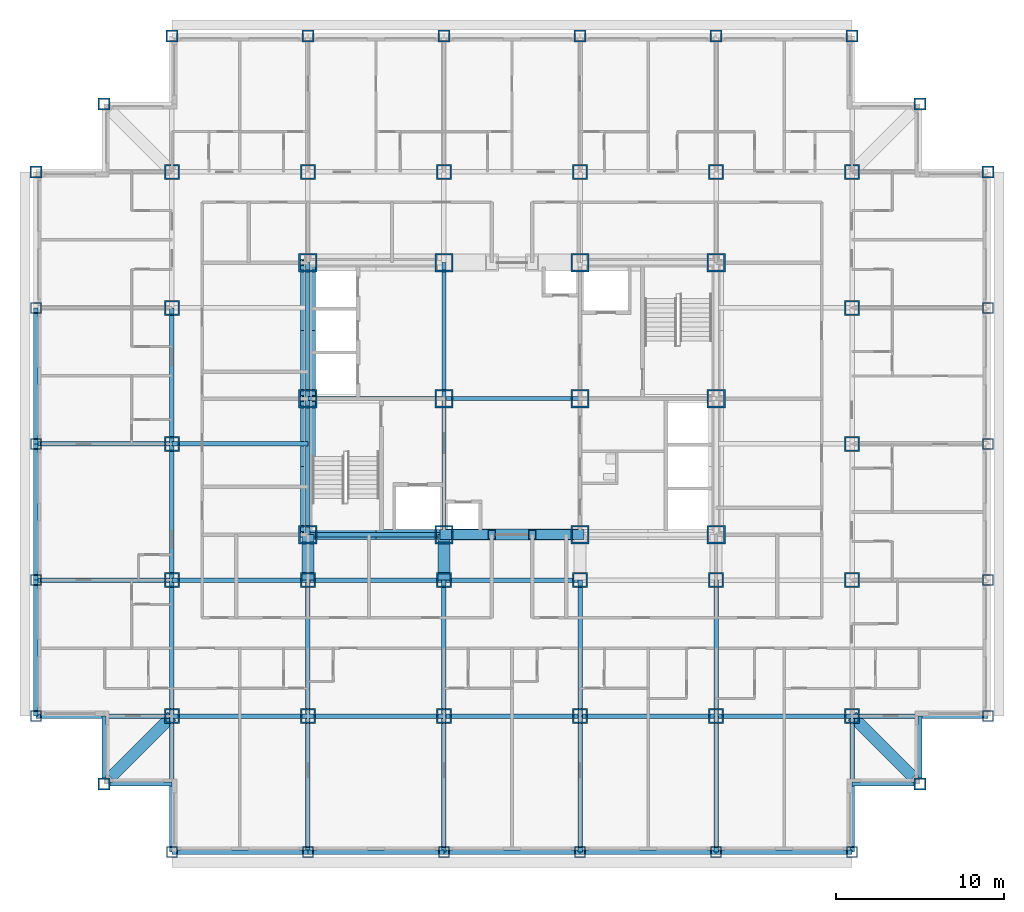
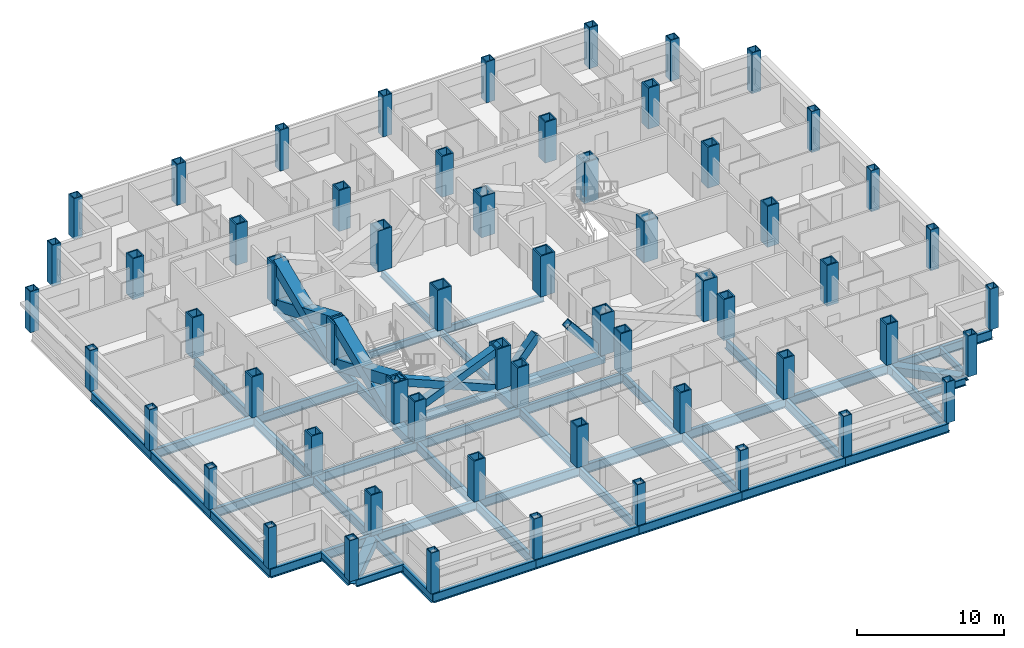
# One storey, part 1 of 14: 60 columns, 50 beams, 8 members.
"""IFC4 building model written with IfcOpenShell, lengths in metres."""

from ifc_helpers import new_model, si_unit, direction, frame, origin, origin_2d, place, context, subcontext, project, spatial, hollow_rectangle, i_section, extrude, material, material_profile, profile_set, type_object, element, save


model = new_model("IFC4")

# Units and contexts
model_context = context("Model", 3, precision=1e-05, world=origin(), true_north=direction((0.0, 1.0)))
body_context = subcontext(model_context, "Body", "Model", "MODEL_VIEW")
ifc_project = project(units=[si_unit("LENGTHUNIT", "METRE"), si_unit("AREAUNIT", "SQUARE_METRE"), si_unit("VOLUMEUNIT", "CUBIC_METRE"), si_unit("PLANEANGLEUNIT", "RADIAN"), si_unit("MASSUNIT", "GRAM", prefix="KILO")], contexts=[model_context])

# Site, building, storey
site_placement = place(None, origin())
site = spatial("IfcSite", under=ifc_project, at=site_placement, CompositionType="ELEMENT")
building_placement = place(site_placement, origin())
building = spatial("IfcBuilding", under=site, at=building_placement, Name="Kopane Lantern Tower", CompositionType="ELEMENT")
storey_placement = place(building_placement, frame((0.0, 0.0, 151.0)))
storey = spatial("IfcBuildingStorey", under=building, at=storey_placement, Name="L39", CompositionType="ELEMENT", Elevation=151.0)

# Columns
ifc_material_1 = material(Name="Steel S355JR", Category="steel")
ifc_material_profile_1 = material_profile(ifc_material_1, hollow_rectangle(XDim=1.10009765625, YDim=1.10009765625, WallThickness=0.10009765625, at=origin_2d()), Name="BOX 1100x1100x100")
ifc_profile_set_1 = profile_set([ifc_material_profile_1], Name="Steel S355JR")
column_type_1 = type_object("IfcColumnType", Name="COLUMN BOX 1100x1100x100", PredefinedType="COLUMN", material=ifc_profile_set_1)
for number, where, z_axis, x_axis, name in (
    (1, (16.199951171875, 24.300048828125, 0.0), (0.0, 0.0, 1.0), (1.0, 0.0, 0.0), "Column 4/E L39"),
    (2, (16.199951171875, 32.39990234375, 0.0), (0.0, 0.0, 1.0), (1.0, 0.0, 0.0), "Column 4/F L39"),
    (3, (16.199951171875, 40.5, 0.0), (0.0, 0.0, 1.0), (1.0, 0.0, 0.0), "Column 4/G L39"),
    (4, (24.300048828125, 24.300048828125, 0.0), (0.0, 0.0, 1.0), (1.0, 0.0, 0.0), "Column 5/E L39"),
    (5, (24.300048828125, 32.39990234375, 0.0), (0.0, 0.0, 1.0), (1.0, 0.0, 0.0), "Column 5/F L39"),
    (6, (24.300048828125, 40.5, 0.0), (0.0, 0.0, 1.0), (1.0, 0.0, 0.0), "Column 5/G L39"),
    (7, (32.39990234375, 24.300048828125, 0.0), (0.0, 0.0, 1.0), (1.0, 0.0, 0.0), "Column 6/E L39"),
    (8, (32.39990234375, 32.39990234375, 0.0), (0.0, 0.0, 1.0), (1.0, 0.0, 0.0), "Column 6/F L39"),
    (9, (32.39990234375, 40.5, 0.0), (0.0, 0.0, 1.0), (1.0, 0.0, 0.0), "Column 6/G L39"),
    (10, (40.5, 24.300048828125, 0.0), (0.0, 0.0, 1.0), (1.0, 0.0, 0.0), "Column 7/E L39"),
    (11, (40.5, 32.39990234375, 0.0), (0.0, 0.0, 1.0), (1.0, 0.0, 0.0), "Column 7/F L39"),
    (12, (40.5, 40.5, 0.0), (0.0, 0.0, 1.0), (1.0, 0.0, 0.0), "Column 7/G L39"),
):
    element("IfcColumn", number, at=place(storey_placement, frame(where, z_axis=z_axis, x_axis=x_axis)), inside=storey, type_object=column_type_1, Name=name, PredefinedType="COLUMN", context=body_context, shape_type="SweptSolid", body=[
        extrude(hollow_rectangle(XDim=1.10009765625, YDim=1.10009765625, WallThickness=0.10009765625, at=origin_2d()), origin(), (0.0, 0.0, 1.0), 3.39990234375),
    ])
ifc_material_2 = material(Name="Steel S355JR", Category="steel")
ifc_material_profile_2 = material_profile(ifc_material_2, hollow_rectangle(XDim=0.64990234375, YDim=0.64990234375, WallThickness=0.054931640625, at=origin_2d()), Name="BOX 650x650x55")
ifc_profile_set_2 = profile_set([ifc_material_profile_2], Name="Steel S355JR")
column_type_2 = type_object("IfcColumnType", Name="COLUMN BOX 650x650x55", PredefinedType="COLUMN", material=ifc_profile_set_2)
for number, where, z_axis, x_axis, name in (
    (13, (0.0, 13.5, 0.0), (0.0, 0.0, 1.0), (1.0, 0.0, 0.0), "Column 2/P2 L39"),
    (14, (0.0, 21.60009765625, 0.0), (0.0, 0.0, 1.0), (1.0, 0.0, 0.0), "Column 2/P3 L39"),
    (15, (0.0, 29.699951171875, 0.0), (0.0, 0.0, 1.0), (1.0, 0.0, 0.0), "Column 2/P4 L39"),
    (16, (0.0, 37.800048828125, 0.0), (0.0, 0.0, 1.0), (1.0, 0.0, 0.0), "Column 2/P5 L39"),
    (17, (8.10009765625, 5.39990234375, 0.0), (0.0, 0.0, 1.0), (1.0, 0.0, 0.0), "Column 3/P1 L39"),
    (18, (16.199951171875, 5.39990234375, 0.0), (0.0, 0.0, 1.0), (1.0, 0.0, 0.0), "Column 4/P1 L39"),
    (19, (24.300048828125, 5.39990234375, 0.0), (0.0, 0.0, 1.0), (1.0, 0.0, 0.0), "Column 5/P1 L39"),
    (20, (32.39990234375, 5.39990234375, 0.0), (0.0, 0.0, 1.0), (1.0, 0.0, 0.0), "Column 6/P1 L39"),
    (21, (40.5, 5.39990234375, 0.0), (0.0, 0.0, 1.0), (1.0, 0.0, 0.0), "Column 7/P1 L39"),
    (22, (48.60009765625, 5.39990234375, 0.0), (0.0, 0.0, 1.0), (1.0, 0.0, 0.0), "Column 8/P1 L39"),
    (23, (56.699951171875, 13.5, 0.0), (0.0, 0.0, 1.0), (1.0, 0.0, 0.0), "Column 9/P2 L39"),
    (24, (56.699951171875, 21.60009765625, 0.0), (0.0, 0.0, 1.0), (1.0, 0.0, 0.0), "Column 9/P3 L39"),
    (25, (56.699951171875, 29.699951171875, 0.0), (0.0, 0.0, 1.0), (1.0, 0.0, 0.0), "Column 9/P4 L39"),
    (26, (56.699951171875, 37.800048828125, 0.0), (0.0, 0.0, 1.0), (1.0, 0.0, 0.0), "Column 9/P5 L39"),
):
    element("IfcColumn", number, at=place(storey_placement, frame(where, z_axis=z_axis, x_axis=x_axis)), inside=storey, type_object=column_type_2, Name=name, PredefinedType="COLUMN", context=body_context, shape_type="SweptSolid", body=[
        extrude(hollow_rectangle(XDim=0.64990234375, YDim=0.64990234375, WallThickness=0.054931640625, at=origin_2d()), origin(), (0.0, 0.0, 1.0), 3.39990234375),
    ])
ifc_material_3 = material(Name="Steel S355JR", Category="steel")
ifc_material_profile_3 = material_profile(ifc_material_3, hollow_rectangle(XDim=0.699951171875, YDim=0.699951171875, WallThickness=0.070068359375, at=origin_2d()), Name="BOX 700x700x70")
ifc_profile_set_3 = profile_set([ifc_material_profile_3], Name="Steel S355JR")
column_type_3 = type_object("IfcColumnType", Name="COLUMN BOX 700x700x70", PredefinedType="COLUMN", material=ifc_profile_set_3)
for number, where, z_axis, x_axis, name in (
    (27, (0.0, 45.89990234375, 0.0), (0.0, 0.0, 1.0), (1.0, 0.0, 0.0), "Column 2/P6 L39"),
    (28, (4.050048828125, 9.449951171875, 0.0), (0.0, 0.0, 1.0), (1.0, 0.0, 0.0), "Column 4.05/9.45 L39"),
    (29, (4.050048828125, 49.949951171875, 0.0), (0.0, 0.0, 1.0), (1.0, 0.0, 0.0), "Column 4.05/49.95 L39"),
    (30, (8.10009765625, 54.0, 0.0), (0.0, 0.0, 1.0), (1.0, 0.0, 0.0), "Column 3/P7 L39"),
    (31, (16.199951171875, 54.0, 0.0), (0.0, 0.0, 1.0), (1.0, 0.0, 0.0), "Column 4/P7 L39"),
    (32, (24.300048828125, 54.0, 0.0), (0.0, 0.0, 1.0), (1.0, 0.0, 0.0), "Column 5/P7 L39"),
    (33, (32.39990234375, 54.0, 0.0), (0.0, 0.0, 1.0), (1.0, 0.0, 0.0), "Column 6/P7 L39"),
    (34, (40.5, 54.0, 0.0), (0.0, 0.0, 1.0), (1.0, 0.0, 0.0), "Column 7/P7 L39"),
    (35, (48.60009765625, 54.0, 0.0), (0.0, 0.0, 1.0), (1.0, 0.0, 0.0), "Column 8/P7 L39"),
    (36, (52.64990234375, 9.449951171875, 0.0), (0.0, 0.0, 1.0), (1.0, 0.0, 0.0), "Column 52.65/9.45 L39"),
    (37, (52.64990234375, 49.949951171875, 0.0), (0.0, 0.0, 1.0), (1.0, 0.0, 0.0), "Column 52.65/49.95 L39"),
    (38, (56.699951171875, 45.89990234375, 0.0), (0.0, 0.0, 1.0), (1.0, 0.0, 0.0), "Column 9/P6 L39"),
):
    element("IfcColumn", number, at=place(storey_placement, frame(where, z_axis=z_axis, x_axis=x_axis)), inside=storey, type_object=column_type_3, Name=name, PredefinedType="COLUMN", context=body_context, shape_type="SweptSolid", body=[
        extrude(hollow_rectangle(XDim=0.699951171875, YDim=0.699951171875, WallThickness=0.070068359375, at=origin_2d()), origin(), (0.0, 0.0, 1.0), 3.39990234375),
    ])
ifc_material_4 = material(Name="Steel S355JR", Category="steel")
ifc_material_profile_4 = material_profile(ifc_material_4, hollow_rectangle(XDim=0.89990234375, YDim=0.89990234375, WallThickness=0.10009765625, at=origin_2d()), Name="BOX 900x900x100")
ifc_profile_set_4 = profile_set([ifc_material_profile_4], Name="Steel S355JR")
column_type_4 = type_object("IfcColumnType", Name="COLUMN BOX 900x900x100", PredefinedType="COLUMN", material=ifc_profile_set_4)
for number, where, z_axis, x_axis, name in (
    (39, (8.10009765625, 13.5, 0.0), (0.0, 0.0, 1.0), (1.0, 0.0, 0.0), "Column 3/P2 L39"),
    (40, (8.10009765625, 21.60009765625, 0.0), (0.0, 0.0, 1.0), (1.0, 0.0, 0.0), "Column 3/P3 L39"),
    (41, (8.10009765625, 29.699951171875, 0.0), (0.0, 0.0, 1.0), (1.0, 0.0, 0.0), "Column 3/P4 L39"),
    (42, (8.10009765625, 37.800048828125, 0.0), (0.0, 0.0, 1.0), (1.0, 0.0, 0.0), "Column 3/P5 L39"),
    (43, (8.10009765625, 45.89990234375, 0.0), (0.0, 0.0, 1.0), (1.0, 0.0, 0.0), "Column 3/P6 L39"),
    (44, (16.199951171875, 13.5, 0.0), (0.0, 0.0, 1.0), (1.0, 0.0, 0.0), "Column 4/P2 L39"),
    (45, (16.199951171875, 21.60009765625, 0.0), (0.0, 0.0, 1.0), (1.0, 0.0, 0.0), "Column 4/P3 L39"),
    (46, (16.199951171875, 45.89990234375, 0.0), (0.0, 0.0, 1.0), (1.0, 0.0, 0.0), "Column 4/P6 L39"),
    (47, (24.300048828125, 13.5, 0.0), (0.0, 0.0, 1.0), (1.0, 0.0, 0.0), "Column 5/P2 L39"),
    (48, (24.300048828125, 21.60009765625, 0.0), (0.0, 0.0, 1.0), (1.0, 0.0, 0.0), "Column 5/P3 L39"),
    (49, (24.300048828125, 45.89990234375, 0.0), (0.0, 0.0, 1.0), (1.0, 0.0, 0.0), "Column 5/P6 L39"),
    (50, (32.39990234375, 13.5, 0.0), (0.0, 0.0, 1.0), (1.0, 0.0, 0.0), "Column 6/P2 L39"),
    (51, (32.39990234375, 21.60009765625, 0.0), (0.0, 0.0, 1.0), (1.0, 0.0, 0.0), "Column 6/P3 L39"),
    (52, (32.39990234375, 45.89990234375, 0.0), (0.0, 0.0, 1.0), (1.0, 0.0, 0.0), "Column 6/P6 L39"),
    (53, (40.5, 13.5, 0.0), (0.0, 0.0, 1.0), (1.0, 0.0, 0.0), "Column 7/P2 L39"),
    (54, (40.5, 21.60009765625, 0.0), (0.0, 0.0, 1.0), (1.0, 0.0, 0.0), "Column 7/P3 L39"),
    (55, (40.5, 45.89990234375, 0.0), (0.0, 0.0, 1.0), (1.0, 0.0, 0.0), "Column 7/P6 L39"),
    (56, (48.60009765625, 13.5, 0.0), (0.0, 0.0, 1.0), (1.0, 0.0, 0.0), "Column 8/P2 L39"),
    (57, (48.60009765625, 21.60009765625, 0.0), (0.0, 0.0, 1.0), (1.0, 0.0, 0.0), "Column 8/P3 L39"),
    (58, (48.60009765625, 29.699951171875, 0.0), (0.0, 0.0, 1.0), (1.0, 0.0, 0.0), "Column 8/P4 L39"),
    (59, (48.60009765625, 37.800048828125, 0.0), (0.0, 0.0, 1.0), (1.0, 0.0, 0.0), "Column 8/P5 L39"),
    (60, (48.60009765625, 45.89990234375, 0.0), (0.0, 0.0, 1.0), (1.0, 0.0, 0.0), "Column 8/P6 L39"),
):
    element("IfcColumn", number, at=place(storey_placement, frame(where, z_axis=z_axis, x_axis=x_axis)), inside=storey, type_object=column_type_4, Name=name, PredefinedType="COLUMN", context=body_context, shape_type="SweptSolid", body=[
        extrude(hollow_rectangle(XDim=0.89990234375, YDim=0.89990234375, WallThickness=0.10009765625, at=origin_2d()), origin(), (0.0, 0.0, 1.0), 3.39990234375),
    ])

# Members
ifc_material_5 = material(Name="Steel S355JR", Category="steel")
ifc_material_profile_5 = material_profile(ifc_material_5, hollow_rectangle(XDim=0.60009765625, YDim=0.60009765625, WallThickness=0.050048828125, at=origin_2d()), Name="BOX 600x600x50")
ifc_profile_set_5 = profile_set([ifc_material_profile_5], Name="Steel S355JR")
member_type_1 = type_object("IfcMemberType", Name="BRACE BOX 600x600x50", PredefinedType="BRACE", material=ifc_profile_set_5)
for number, where, z_axis, x_axis, name in (
    (61, (16.199951171875, 24.300048828125, -0.2099609375), (0.922069000757, 0.0, 0.387025526088), (0.0, 1.0, 0.0), "Core brace L39"),
    (62, (24.300048828125, 24.300048828125, -0.2099609375), (-0.922069000757, 0.0, 0.387025526088), (0.0, -1.0, 0.0), "Core brace L39"),
):
    element("IfcMember", number, at=place(storey_placement, frame(where, z_axis=z_axis, x_axis=x_axis)), inside=storey, type_object=member_type_1, Name=name, PredefinedType="BRACE", context=body_context, shape_type="SweptSolid", body=[
        extrude(hollow_rectangle(XDim=0.60009765625, YDim=0.60009765625, WallThickness=0.050048828125, at=origin_2d()), origin(), (0.0, 0.0, 1.0), 8.78466796875),
    ])
for number, where, z_axis, x_axis, name in (
    (63, (24.300048828125, 24.300048828125, -0.2099609375), (0.642390257445, 0.0, 0.7663776857), (0.0, 1.0, 0.0), "Core brace L39"),
    (64, (32.39990234375, 24.300048828125, -0.2099609375), (-0.642390257445, 0.0, 0.7663776857), (0.0, -1.0, 0.0), "Core brace L39"),
):
    element("IfcMember", number, at=place(storey_placement, frame(where, z_axis=z_axis, x_axis=x_axis)), inside=storey, type_object=member_type_1, Name=name, PredefinedType="BRACE", context=body_context, shape_type="SweptSolid", body=[
        extrude(hollow_rectangle(XDim=0.60009765625, YDim=0.60009765625, WallThickness=0.050048828125, at=origin_2d()), origin(), (0.0, 0.0, 1.0), 4.436279296875),
    ])
ifc_material_6 = material(Name="Steel S355JR", Category="steel")
ifc_material_profile_6 = material_profile(ifc_material_6, hollow_rectangle(XDim=0.89990234375, YDim=0.89990234375, WallThickness=0.090087890625, at=origin_2d()), Name="BOX 900x900x90")
ifc_profile_set_6 = profile_set([ifc_material_profile_6], Name="Steel S355JR")
member_type_2 = type_object("IfcMemberType", Name="BRACE BOX 900x900x90", PredefinedType="BRACE", material=ifc_profile_set_6)
for number, where, z_axis, x_axis, name in (
    (65, (16.199951171875, 24.300048828125, -0.2099609375), (0.0, 0.922064837731, 0.38703544414), (-1.0, 0.0, 0.0), "Core brace L39"),
    (66, (16.199951171875, 32.39990234375, -0.2099609375), (0.0, -0.922064837731, 0.38703544414), (1.0, 0.0, 0.0), "Core brace L39"),
):
    element("IfcMember", number, at=place(storey_placement, frame(where, z_axis=z_axis, x_axis=x_axis)), inside=storey, type_object=member_type_2, Name=name, PredefinedType="BRACE", context=body_context, shape_type="SweptSolid", body=[
        extrude(hollow_rectangle(XDim=0.89990234375, YDim=0.89990234375, WallThickness=0.090087890625, at=origin_2d()), origin(), (0.0, 0.0, 1.0), 8.784423828125),
    ])
for number, where, z_axis, x_axis, name in (
    (67, (16.199951171875, 32.39990234375, -0.2099609375), (0.0, 0.922069000757, 0.387025526088), (-1.0, 0.0, 0.0), "Core brace L39"),
    (68, (16.199951171875, 40.5, -0.2099609375), (0.0, -0.922069000757, 0.387025526088), (1.0, 0.0, 0.0), "Core brace L39"),
):
    element("IfcMember", number, at=place(storey_placement, frame(where, z_axis=z_axis, x_axis=x_axis)), inside=storey, type_object=member_type_2, Name=name, PredefinedType="BRACE", context=body_context, shape_type="SweptSolid", body=[
        extrude(hollow_rectangle(XDim=0.89990234375, YDim=0.89990234375, WallThickness=0.090087890625, at=origin_2d()), origin(), (0.0, 0.0, 1.0), 8.78466796875),
    ])

# Beams
ifc_material_7 = material(Name="Steel S355JR", Category="steel")
ifc_material_profile_7 = material_profile(ifc_material_7, i_section(OverallWidth=0.22900390625, OverallDepth=0.6123046875, WebThickness=0.011962890625, FlangeThickness=0.01953125, FilletRadius=0.0126953125, at=origin_2d()), Name="UB 610x229x125")
ifc_profile_set_7 = profile_set([ifc_material_profile_7], Name="Steel S355JR")
beam_type_1 = type_object("IfcBeamType", Name="CORE BEAM UB 610x229x125", PredefinedType="BEAM", material=ifc_profile_set_7)
beam_1_placement = place(storey_placement, frame((16.199951171875, 32.39990234375, -0.51611328125), z_axis=(1.0, 0.0, 0.0), x_axis=(0.0, 1.0, 0.0)))
element("IfcBeam", 69, at=beam_1_placement, inside=storey, type_object=beam_type_1, Name="Core Beam L39", PredefinedType="BEAM", context=body_context, shape_type="SweptSolid", body=[
    extrude(i_section(OverallWidth=0.22900390625, OverallDepth=0.6123046875, WebThickness=0.011962890625, FlangeThickness=0.01953125, FilletRadius=0.0126953125, at=origin_2d()), origin(), (0.0, 0.0, 1.0), 8.10009765625),
])
beam_2_placement = place(storey_placement, frame((24.300048828125, 24.300048828125, -0.51611328125), z_axis=(0.0, 1.0, 0.0), x_axis=(-1.0, 0.0, 0.0)))
element("IfcBeam", 70, at=beam_2_placement, inside=storey, type_object=beam_type_1, Name="Core Beam L39", PredefinedType="BEAM", context=body_context, shape_type="SweptSolid", body=[
    extrude(i_section(OverallWidth=0.22900390625, OverallDepth=0.6123046875, WebThickness=0.011962890625, FlangeThickness=0.01953125, FilletRadius=0.0126953125, at=origin_2d()), origin(), (0.0, 0.0, 1.0), 8.099853515625),
])
beam_3_placement = place(storey_placement, frame((24.300048828125, 32.39990234375, -0.51611328125), z_axis=(0.0, 1.0, 0.0), x_axis=(-1.0, 0.0, 0.0)))
element("IfcBeam", 71, at=beam_3_placement, inside=storey, type_object=beam_type_1, Name="Core Beam L39", PredefinedType="BEAM", context=body_context, shape_type="SweptSolid", body=[
    extrude(i_section(OverallWidth=0.22900390625, OverallDepth=0.6123046875, WebThickness=0.011962890625, FlangeThickness=0.01953125, FilletRadius=0.0126953125, at=origin_2d()), origin(), (0.0, 0.0, 1.0), 8.10009765625),
])
beam_4_placement = place(storey_placement, frame((24.300048828125, 32.39990234375, -0.51611328125), z_axis=(1.0, 0.0, 0.0), x_axis=(0.0, 1.0, 0.0)))
element("IfcBeam", 72, at=beam_4_placement, inside=storey, type_object=beam_type_1, Name="Core Beam L39", PredefinedType="BEAM", context=body_context, shape_type="SweptSolid", body=[
    extrude(i_section(OverallWidth=0.22900390625, OverallDepth=0.6123046875, WebThickness=0.011962890625, FlangeThickness=0.01953125, FilletRadius=0.0126953125, at=origin_2d()), origin(), (0.0, 0.0, 1.0), 8.099853515625),
])
ifc_material_8 = material(Name="Steel S355JR", Category="steel")
ifc_material_profile_8 = material_profile(ifc_material_8, hollow_rectangle(XDim=0.699951171875, YDim=0.699951171875, WallThickness=0.06005859375, at=origin_2d()), Name="BOX 700x700x60")
ifc_profile_set_8 = profile_set([ifc_material_profile_8], Name="Steel S355JR")
beam_type_2 = type_object("IfcBeamType", Name="CORNER TIE BEAM BOX 700x700x60", PredefinedType="BEAM", material=ifc_profile_set_8)
beam_5_placement = place(storey_placement, frame((4.447509765625, 9.847412109375, -0.56005859375), z_axis=(0.707106781187, 0.707106781187, 0.0), x_axis=(-0.707106781187, 0.707106781187, 0.0)))
element("IfcBeam", 73, at=beam_5_placement, inside=storey, type_object=beam_type_2, Name="Corner Tie Beam L39", PredefinedType="BEAM", context=body_context, shape_type="SweptSolid", body=[
    extrude(hollow_rectangle(XDim=0.699951171875, YDim=0.699951171875, WallThickness=0.06005859375, at=origin_2d()), origin(), (0.0, 0.0, 1.0), 5.16552734375),
])
beam_6_placement = place(storey_placement, frame((52.25244140625, 9.847412109375, -0.56005859375), z_axis=(-0.707083148333, 0.70713041325, 0.0), x_axis=(-0.70713041325, -0.707083148333, 0.0)))
element("IfcBeam", 74, at=beam_6_placement, inside=storey, type_object=beam_type_2, Name="Corner Tie Beam L39", PredefinedType="BEAM", context=body_context, shape_type="SweptSolid", body=[
    extrude(hollow_rectangle(XDim=0.699951171875, YDim=0.699951171875, WallThickness=0.06005859375, at=origin_2d()), origin(), (0.0, 0.0, 1.0), 5.165283203125),
])
ifc_material_9 = material(Name="Steel S355JR", Category="steel")
ifc_material_profile_9 = material_profile(ifc_material_9, i_section(OverallWidth=0.22900390625, OverallDepth=0.6123046875, WebThickness=0.011962890625, FlangeThickness=0.01953125, FilletRadius=0.0126953125, at=origin_2d()), Name="UB 610x229x125")
ifc_profile_set_9 = profile_set([ifc_material_profile_9], Name="Steel S355JR")
beam_type_3 = type_object("IfcBeamType", Name="EDGE BEAM UB 610x229x125", PredefinedType="BEAM", material=ifc_profile_set_9)
beam_7_placement = place(storey_placement, frame((4.050048828125, 9.800048828125, -0.51611328125), z_axis=(0.0, 1.0, 0.0), x_axis=(-1.0, 0.0, 0.0)))
element("IfcBeam", 75, at=beam_7_placement, inside=storey, type_object=beam_type_3, Name="Edge Beam L39", PredefinedType="BEAM", context=body_context, shape_type="SweptSolid", body=[
    extrude(i_section(OverallWidth=0.22900390625, OverallDepth=0.6123046875, WebThickness=0.011962890625, FlangeThickness=0.01953125, FilletRadius=0.0126953125, at=origin_2d()), origin(), (0.0, 0.0, 1.0), 3.699951171875),
])
beam_8_placement = place(storey_placement, frame((4.39990234375, 9.449951171875, -0.51611328125), z_axis=(1.0, 0.0, 0.0), x_axis=(0.0, 1.0, 0.0)))
element("IfcBeam", 76, at=beam_8_placement, inside=storey, type_object=beam_type_3, Name="Edge Beam L39", PredefinedType="BEAM", context=body_context, shape_type="SweptSolid", body=[
    extrude(i_section(OverallWidth=0.22900390625, OverallDepth=0.6123046875, WebThickness=0.011962890625, FlangeThickness=0.01953125, FilletRadius=0.0126953125, at=origin_2d()), origin(), (0.0, 0.0, 1.0), 3.7001953125),
])
for number, where, z_axis, x_axis, name in (
    (77, (52.300048828125, 9.449951171875, -0.51611328125), (-1.0, 0.0, 0.0), (0.0, -1.0, 0.0), "Edge Beam L39"),
    (78, (52.64990234375, 9.800048828125, -0.51611328125), (0.0, 1.0, 0.0), (-1.0, 0.0, 0.0), "Edge Beam L39"),
):
    element("IfcBeam", number, at=place(storey_placement, frame(where, z_axis=z_axis, x_axis=x_axis)), inside=storey, type_object=beam_type_3, Name=name, PredefinedType="BEAM", context=body_context, shape_type="SweptSolid", body=[
        extrude(i_section(OverallWidth=0.22900390625, OverallDepth=0.6123046875, WebThickness=0.011962890625, FlangeThickness=0.01953125, FilletRadius=0.0126953125, at=origin_2d()), origin(), (0.0, 0.0, 1.0), 3.699951171875),
    ])
ifc_material_10 = material(Name="Steel S355JR", Category="steel")
ifc_material_profile_10 = material_profile(ifc_material_10, hollow_rectangle(XDim=0.699951171875, YDim=0.699951171875, WallThickness=0.06005859375, at=origin_2d()), Name="BOX 700x700x60")
ifc_profile_set_10 = profile_set([ifc_material_profile_10], Name="Steel S355JR")
beam_type_4 = type_object("IfcBeamType", Name="GIRDER BOX 700x700x60", PredefinedType="BEAM", material=ifc_profile_set_10)
for number, where, z_axis, x_axis, name in (
    (79, (16.199951171875, 21.60009765625, -0.56005859375), (0.0, 1.0, 0.0), (-1.0, 0.0, 0.0), "Girder L39"),
    (80, (24.300048828125, 21.60009765625, -0.56005859375), (0.0, 1.0, 0.0), (-1.0, 0.0, 0.0), "Girder L39"),
):
    element("IfcBeam", number, at=place(storey_placement, frame(where, z_axis=z_axis, x_axis=x_axis)), inside=storey, type_object=beam_type_4, Name=name, PredefinedType="BEAM", context=body_context, shape_type="SweptSolid", body=[
        extrude(hollow_rectangle(XDim=0.699951171875, YDim=0.699951171875, WallThickness=0.06005859375, at=origin_2d()), origin(), (0.0, 0.0, 1.0), 2.699951171875),
    ])
ifc_material_11 = material(Name="Steel S355JR", Category="steel")
ifc_material_profile_11 = material_profile(ifc_material_11, i_section(OverallWidth=0.26806640625, OverallDepth=0.769775390625, WebThickness=0.015625, FlangeThickness=0.025390625, FilletRadius=0.0166015625, at=origin_2d()), Name="UB 762x267x197")
ifc_profile_set_11 = profile_set([ifc_material_profile_11], Name="Steel S355JR")
beam_type_5 = type_object("IfcBeamType", Name="GIRDER UB 762x267x197", PredefinedType="BEAM", material=ifc_profile_set_11)
for number, where, z_axis, x_axis, name in (
    (81, (0.0, 13.5, -0.594970703125), (0.0, 1.0, 0.0), (-1.0, 0.0, 0.0), "Girder L39"),
    (82, (0.0, 13.5, -0.594970703125), (1.0, 0.0, 0.0), (0.0, 1.0, 0.0), "Girder L39"),
):
    element("IfcBeam", number, at=place(storey_placement, frame(where, z_axis=z_axis, x_axis=x_axis)), inside=storey, type_object=beam_type_5, Name=name, PredefinedType="BEAM", context=body_context, shape_type="SweptSolid", body=[
        extrude(i_section(OverallWidth=0.26806640625, OverallDepth=0.769775390625, WebThickness=0.015625, FlangeThickness=0.025390625, FilletRadius=0.0166015625, at=origin_2d()), origin(), (0.0, 0.0, 1.0), 8.10009765625),
    ])
beam_9_placement = place(storey_placement, frame((0.0, 21.60009765625, -0.594970703125), z_axis=(0.0, 1.0, 0.0), x_axis=(-1.0, 0.0, 0.0)))
element("IfcBeam", 83, at=beam_9_placement, inside=storey, type_object=beam_type_5, Name="Girder L39", PredefinedType="BEAM", context=body_context, shape_type="SweptSolid", body=[
    extrude(i_section(OverallWidth=0.26806640625, OverallDepth=0.769775390625, WebThickness=0.015625, FlangeThickness=0.025390625, FilletRadius=0.0166015625, at=origin_2d()), origin(), (0.0, 0.0, 1.0), 8.099853515625),
])
for number, where, z_axis, x_axis, name in (
    (84, (0.0, 21.60009765625, -0.594970703125), (1.0, 0.0, 0.0), (0.0, 1.0, 0.0), "Girder L39"),
    (85, (0.0, 29.699951171875, -0.594970703125), (0.0, 1.0, 0.0), (-1.0, 0.0, 0.0), "Girder L39"),
    (86, (0.0, 29.699951171875, -0.594970703125), (1.0, 0.0, 0.0), (0.0, 1.0, 0.0), "Girder L39"),
    (87, (8.10009765625, 5.39990234375, -0.594970703125), (0.0, 1.0, 0.0), (-1.0, 0.0, 0.0), "Girder L39"),
):
    element("IfcBeam", number, at=place(storey_placement, frame(where, z_axis=z_axis, x_axis=x_axis)), inside=storey, type_object=beam_type_5, Name=name, PredefinedType="BEAM", context=body_context, shape_type="SweptSolid", body=[
        extrude(i_section(OverallWidth=0.26806640625, OverallDepth=0.769775390625, WebThickness=0.015625, FlangeThickness=0.025390625, FilletRadius=0.0166015625, at=origin_2d()), origin(), (0.0, 0.0, 1.0), 8.10009765625),
    ])
beam_10_placement = place(storey_placement, frame((8.10009765625, 5.39990234375, -0.594970703125), z_axis=(1.0, 0.0, 0.0), x_axis=(0.0, 1.0, 0.0)))
element("IfcBeam", 88, at=beam_10_placement, inside=storey, type_object=beam_type_5, Name="Girder L39", PredefinedType="BEAM", context=body_context, shape_type="SweptSolid", body=[
    extrude(i_section(OverallWidth=0.26806640625, OverallDepth=0.769775390625, WebThickness=0.015625, FlangeThickness=0.025390625, FilletRadius=0.0166015625, at=origin_2d()), origin(), (0.0, 0.0, 1.0), 8.099853515625),
])
beam_11_placement = place(storey_placement, frame((8.10009765625, 13.5, -0.594970703125), z_axis=(0.0, 1.0, 0.0), x_axis=(-1.0, 0.0, 0.0)))
element("IfcBeam", 89, at=beam_11_placement, inside=storey, type_object=beam_type_5, Name="Girder L39", PredefinedType="BEAM", context=body_context, shape_type="SweptSolid", body=[
    extrude(i_section(OverallWidth=0.26806640625, OverallDepth=0.769775390625, WebThickness=0.015625, FlangeThickness=0.025390625, FilletRadius=0.0166015625, at=origin_2d()), origin(), (0.0, 0.0, 1.0), 8.10009765625),
])
for number, where, z_axis, x_axis, name in (
    (90, (8.10009765625, 13.5, -0.594970703125), (1.0, 0.0, 0.0), (0.0, 1.0, 0.0), "Girder L39"),
    (91, (8.10009765625, 21.60009765625, -0.594970703125), (0.0, 1.0, 0.0), (-1.0, 0.0, 0.0), "Girder L39"),
    (92, (8.10009765625, 21.60009765625, -0.594970703125), (1.0, 0.0, 0.0), (0.0, 1.0, 0.0), "Girder L39"),
):
    element("IfcBeam", number, at=place(storey_placement, frame(where, z_axis=z_axis, x_axis=x_axis)), inside=storey, type_object=beam_type_5, Name=name, PredefinedType="BEAM", context=body_context, shape_type="SweptSolid", body=[
        extrude(i_section(OverallWidth=0.26806640625, OverallDepth=0.769775390625, WebThickness=0.015625, FlangeThickness=0.025390625, FilletRadius=0.0166015625, at=origin_2d()), origin(), (0.0, 0.0, 1.0), 8.099853515625),
    ])
beam_12_placement = place(storey_placement, frame((8.10009765625, 29.699951171875, -0.594970703125), z_axis=(0.0, 1.0, 0.0), x_axis=(-1.0, 0.0, 0.0)))
element("IfcBeam", 93, at=beam_12_placement, inside=storey, type_object=beam_type_5, Name="Girder L39", PredefinedType="BEAM", context=body_context, shape_type="SweptSolid", body=[
    extrude(i_section(OverallWidth=0.26806640625, OverallDepth=0.769775390625, WebThickness=0.015625, FlangeThickness=0.025390625, FilletRadius=0.0166015625, at=origin_2d()), origin(), (0.0, 0.0, 1.0), 8.10009765625),
])
beam_13_placement = place(storey_placement, frame((8.10009765625, 29.699951171875, -0.594970703125), z_axis=(1.0, 0.0, 0.0), x_axis=(0.0, 1.0, 0.0)))
element("IfcBeam", 94, at=beam_13_placement, inside=storey, type_object=beam_type_5, Name="Girder L39", PredefinedType="BEAM", context=body_context, shape_type="SweptSolid", body=[
    extrude(i_section(OverallWidth=0.26806640625, OverallDepth=0.769775390625, WebThickness=0.015625, FlangeThickness=0.025390625, FilletRadius=0.0166015625, at=origin_2d()), origin(), (0.0, 0.0, 1.0), 8.099853515625),
])
for number, where, z_axis, x_axis, name in (
    (95, (16.199951171875, 5.39990234375, -0.594970703125), (0.0, 1.0, 0.0), (-1.0, 0.0, 0.0), "Girder L39"),
    (96, (16.199951171875, 5.39990234375, -0.594970703125), (1.0, 0.0, 0.0), (0.0, 1.0, 0.0), "Girder L39"),
    (97, (16.199951171875, 13.5, -0.594970703125), (0.0, 1.0, 0.0), (-1.0, 0.0, 0.0), "Girder L39"),
    (98, (16.199951171875, 13.5, -0.594970703125), (1.0, 0.0, 0.0), (0.0, 1.0, 0.0), "Girder L39"),
    (99, (16.199951171875, 21.60009765625, -0.594970703125), (1.0, 0.0, 0.0), (0.0, 1.0, 0.0), "Girder L39"),
):
    element("IfcBeam", number, at=place(storey_placement, frame(where, z_axis=z_axis, x_axis=x_axis)), inside=storey, type_object=beam_type_5, Name=name, PredefinedType="BEAM", context=body_context, shape_type="SweptSolid", body=[
        extrude(i_section(OverallWidth=0.26806640625, OverallDepth=0.769775390625, WebThickness=0.015625, FlangeThickness=0.025390625, FilletRadius=0.0166015625, at=origin_2d()), origin(), (0.0, 0.0, 1.0), 8.10009765625),
    ])
beam_14_placement = place(storey_placement, frame((16.199951171875, 24.300048828125, -0.594970703125), z_axis=(0.0, 1.0, 0.0), x_axis=(-1.0, 0.0, 0.0)))
element("IfcBeam", 100, at=beam_14_placement, inside=storey, type_object=beam_type_5, Name="Girder L39", PredefinedType="BEAM", context=body_context, shape_type="SweptSolid", body=[
    extrude(i_section(OverallWidth=0.26806640625, OverallDepth=0.769775390625, WebThickness=0.015625, FlangeThickness=0.025390625, FilletRadius=0.0166015625, at=origin_2d()), origin(), (0.0, 0.0, 1.0), 8.099853515625),
])
for number, where, z_axis, x_axis, name in (
    (101, (16.199951171875, 24.300048828125, -0.594970703125), (1.0, 0.0, 0.0), (0.0, 1.0, 0.0), "Girder L39"),
    (102, (16.199951171875, 32.39990234375, -0.594970703125), (0.0, 1.0, 0.0), (-1.0, 0.0, 0.0), "Girder L39"),
    (103, (24.300048828125, 5.39990234375, -0.594970703125), (0.0, 1.0, 0.0), (-1.0, 0.0, 0.0), "Girder L39"),
):
    element("IfcBeam", number, at=place(storey_placement, frame(where, z_axis=z_axis, x_axis=x_axis)), inside=storey, type_object=beam_type_5, Name=name, PredefinedType="BEAM", context=body_context, shape_type="SweptSolid", body=[
        extrude(i_section(OverallWidth=0.26806640625, OverallDepth=0.769775390625, WebThickness=0.015625, FlangeThickness=0.025390625, FilletRadius=0.0166015625, at=origin_2d()), origin(), (0.0, 0.0, 1.0), 8.10009765625),
    ])
beam_15_placement = place(storey_placement, frame((24.300048828125, 5.39990234375, -0.594970703125), z_axis=(1.0, 0.0, 0.0), x_axis=(0.0, 1.0, 0.0)))
element("IfcBeam", 104, at=beam_15_placement, inside=storey, type_object=beam_type_5, Name="Girder L39", PredefinedType="BEAM", context=body_context, shape_type="SweptSolid", body=[
    extrude(i_section(OverallWidth=0.26806640625, OverallDepth=0.769775390625, WebThickness=0.015625, FlangeThickness=0.025390625, FilletRadius=0.0166015625, at=origin_2d()), origin(), (0.0, 0.0, 1.0), 8.099853515625),
])
beam_16_placement = place(storey_placement, frame((24.300048828125, 13.5, -0.594970703125), z_axis=(0.0, 1.0, 0.0), x_axis=(-1.0, 0.0, 0.0)))
element("IfcBeam", 105, at=beam_16_placement, inside=storey, type_object=beam_type_5, Name="Girder L39", PredefinedType="BEAM", context=body_context, shape_type="SweptSolid", body=[
    extrude(i_section(OverallWidth=0.26806640625, OverallDepth=0.769775390625, WebThickness=0.015625, FlangeThickness=0.025390625, FilletRadius=0.0166015625, at=origin_2d()), origin(), (0.0, 0.0, 1.0), 8.10009765625),
])
for number, where, z_axis, x_axis, name in (
    (106, (24.300048828125, 13.5, -0.594970703125), (1.0, 0.0, 0.0), (0.0, 1.0, 0.0), "Girder L39"),
    (107, (24.300048828125, 21.60009765625, -0.594970703125), (1.0, 0.0, 0.0), (0.0, 1.0, 0.0), "Girder L39"),
):
    element("IfcBeam", number, at=place(storey_placement, frame(where, z_axis=z_axis, x_axis=x_axis)), inside=storey, type_object=beam_type_5, Name=name, PredefinedType="BEAM", context=body_context, shape_type="SweptSolid", body=[
        extrude(i_section(OverallWidth=0.26806640625, OverallDepth=0.769775390625, WebThickness=0.015625, FlangeThickness=0.025390625, FilletRadius=0.0166015625, at=origin_2d()), origin(), (0.0, 0.0, 1.0), 8.099853515625),
    ])
for number, where, z_axis, x_axis, name in (
    (108, (32.39990234375, 5.39990234375, -0.594970703125), (0.0, 1.0, 0.0), (-1.0, 0.0, 0.0), "Girder L39"),
    (109, (32.39990234375, 5.39990234375, -0.594970703125), (1.0, 0.0, 0.0), (0.0, 1.0, 0.0), "Girder L39"),
    (110, (32.39990234375, 13.5, -0.594970703125), (0.0, 1.0, 0.0), (-1.0, 0.0, 0.0), "Girder L39"),
    (111, (32.39990234375, 13.5, -0.594970703125), (1.0, 0.0, 0.0), (0.0, 1.0, 0.0), "Girder L39"),
    (112, (40.5, 5.39990234375, -0.594970703125), (0.0, 1.0, 0.0), (-1.0, 0.0, 0.0), "Girder L39"),
    (113, (40.5, 5.39990234375, -0.594970703125), (1.0, 0.0, 0.0), (0.0, 1.0, 0.0), "Girder L39"),
    (114, (40.5, 13.5, -0.594970703125), (0.0, 1.0, 0.0), (-1.0, 0.0, 0.0), "Girder L39"),
    (115, (40.5, 13.5, -0.594970703125), (1.0, 0.0, 0.0), (0.0, 1.0, 0.0), "Girder L39"),
    (116, (48.60009765625, 5.39990234375, -0.594970703125), (0.0, 1.0, 0.0), (-1.0, 0.0, 0.0), "Girder L39"),
):
    element("IfcBeam", number, at=place(storey_placement, frame(where, z_axis=z_axis, x_axis=x_axis)), inside=storey, type_object=beam_type_5, Name=name, PredefinedType="BEAM", context=body_context, shape_type="SweptSolid", body=[
        extrude(i_section(OverallWidth=0.26806640625, OverallDepth=0.769775390625, WebThickness=0.015625, FlangeThickness=0.025390625, FilletRadius=0.0166015625, at=origin_2d()), origin(), (0.0, 0.0, 1.0), 8.10009765625),
    ])
beam_17_placement = place(storey_placement, frame((48.60009765625, 13.5, -0.594970703125), z_axis=(1.0, 0.0, 0.0), x_axis=(0.0, 1.0, 0.0)))
element("IfcBeam", 117, at=beam_17_placement, inside=storey, type_object=beam_type_5, Name="Girder L39", PredefinedType="BEAM", context=body_context, shape_type="SweptSolid", body=[
    extrude(i_section(OverallWidth=0.26806640625, OverallDepth=0.769775390625, WebThickness=0.015625, FlangeThickness=0.025390625, FilletRadius=0.0166015625, at=origin_2d()), origin(), (0.0, 0.0, 1.0), 8.099853515625),
])
ifc_material_12 = material(Name="Steel S355JR", Category="steel")
ifc_material_profile_12 = material_profile(ifc_material_12, hollow_rectangle(XDim=0.64990234375, YDim=0.64990234375, WallThickness=0.070068359375, at=origin_2d()), Name="BOX 650x650x70")
ifc_profile_set_12 = profile_set([ifc_material_profile_12], Name="Steel S355JR")
beam_type_6 = type_object("IfcBeamType", Name="LINK BEAM BOX 650x650x70", PredefinedType="BEAM", material=ifc_profile_set_12)
beam_18_placement = place(storey_placement, frame((24.300048828125, 24.300048828125, -0.534912109375), z_axis=(1.0, 0.0, 0.0), x_axis=(0.0, 1.0, 0.0)))
element("IfcBeam", 118, at=beam_18_placement, inside=storey, type_object=beam_type_6, Name="Link Beam L39", PredefinedType="BEAM", context=body_context, shape_type="SweptSolid", body=[
    extrude(hollow_rectangle(XDim=0.64990234375, YDim=0.64990234375, WallThickness=0.070068359375, at=origin_2d()), origin(), (0.0, 0.0, 1.0), 8.099853515625),
])

save(model, "model.ifc")
